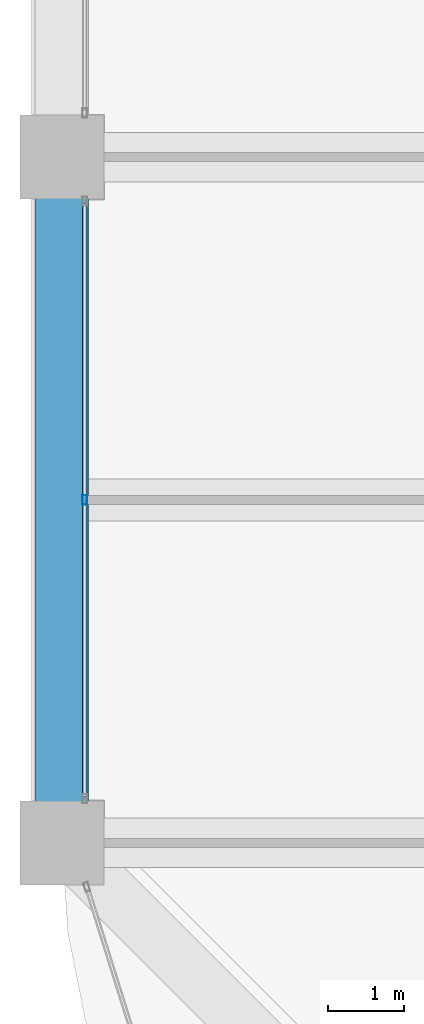
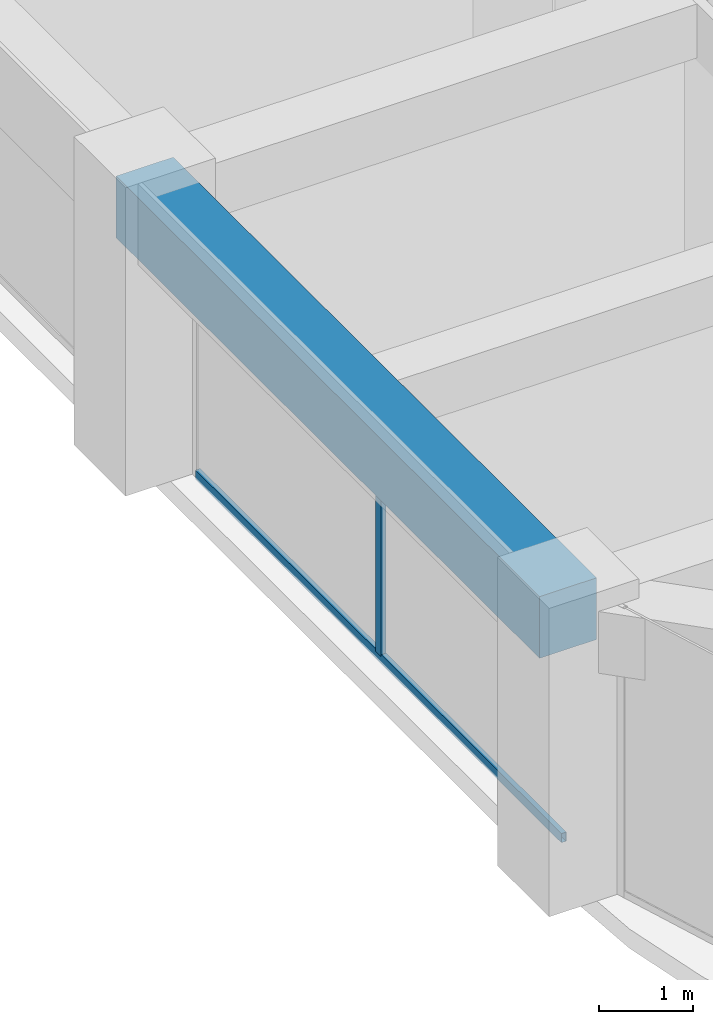
# One storey, part 7 of 45: 2 members, 1 beam, 1 element without a shape of its own.
"""IFC4 building model written with IfcOpenShell, lengths in metres."""

from ifc_helpers import new_model, si_unit, direction, frame, origin, origin_2d, place, context, subcontext, project, spatial, rectangle, hollow_rectangle, extrude, material, material_profile, profile_set, type_object, element, aggregate, save


model = new_model("IFC4")

# Units and contexts
model_context = context("Model", 3, precision=1e-05, world=origin(), true_north=direction((0.0, 1.0)))
body_context = subcontext(model_context, "Body", "Model", "MODEL_VIEW")
ifc_project = project(units=[si_unit("LENGTHUNIT", "METRE"), si_unit("AREAUNIT", "SQUARE_METRE"), si_unit("VOLUMEUNIT", "CUBIC_METRE"), si_unit("PLANEANGLEUNIT", "RADIAN"), si_unit("MASSUNIT", "GRAM", prefix="KILO")], contexts=[model_context])

# Site, building, storey
site_placement = place(None, origin())
site = spatial("IfcSite", under=ifc_project, at=site_placement, CompositionType="ELEMENT")
building_placement = place(site_placement, origin())
building = spatial("IfcBuilding", under=site, at=building_placement, Name="Zorevar Civic Tower", CompositionType="ELEMENT")
storey_placement = place(building_placement, frame((0.0, 0.0, 291.39990234375)))
storey = spatial("IfcBuildingStorey", under=building, at=storey_placement, Name="L71", CompositionType="ELEMENT", Elevation=291.39990234375)

# Curtain wall, members
ifc_material_1 = material(Name="Dark grey solar-control glass in black aluminium frame", Category="aluminium")
curtain_wall_type = type_object("IfcCurtainWallType", Name="Curtain wall CW5 top zone", PredefinedType="NOTDEFINED", material=ifc_material_1)
curtain_wall_placement = place(storey_placement, origin())
curtain_wall = element("IfcCurtainWall", 1, at=curtain_wall_placement, inside=storey, type_object=curtain_wall_type, Name="CW5 L71", PredefinedType="NOTDEFINED")
ifc_material_2 = material(Name="Aluminium, black anodised", Category="aluminium")
ifc_material_profile_1 = material_profile(ifc_material_2, hollow_rectangle(XDim=0.06005859375, YDim=0.1201171875, WallThickness=0.0029296875, at=origin_2d()), Name="AL 120x60x3")
ifc_profile_set_1 = profile_set([ifc_material_profile_1], Name="Aluminium, black anodised")
member_type_1 = type_object("IfcMemberType", Name="CW5 mullion AL 120x60x3", PredefinedType="MULLION", material=ifc_profile_set_1)
member_1_placement = place(storey_placement, frame((9.300048828125, 13.5, 0.06005859375), z_axis=(0.0, 0.0, 1.0), x_axis=(-1.0, 0.0, 0.0)))
member_1 = element("IfcMember", 2, at=member_1_placement, type_object=member_type_1, Name="CW5 mullion 2", PredefinedType="MULLION", context=body_context, shape_type="SweptSolid", body=[
    extrude(hollow_rectangle(XDim=0.06005859375, YDim=0.1201171875, WallThickness=0.0029296875, at=origin_2d()), origin(), (0.0, 0.0, 1.0), 2.89013671875),
])
ifc_material_3 = material(Name="Aluminium, black anodised", Category="aluminium")
ifc_material_profile_2 = material_profile(ifc_material_3, hollow_rectangle(XDim=0.06005859375, YDim=0.1201171875, WallThickness=0.0029296875, at=origin_2d()), Name="AL 120x60x3")
ifc_profile_set_2 = profile_set([ifc_material_profile_2], Name="Aluminium, black anodised")
member_type_2 = type_object("IfcMemberType", Name="CW5 transom AL 120x60x3", PredefinedType="USERDEFINED", material=ifc_profile_set_2)
member_2_placement = place(storey_placement, frame((9.300048828125, 9.610107421875, 0.030029296875), z_axis=(0.0, 1.0, 0.0), x_axis=(-1.0, 0.0, 0.0)))
member_2 = element("IfcMember", 3, at=member_2_placement, type_object=member_type_2, Name="CW5 sill transom", ObjectType="TRANSOM", PredefinedType="USERDEFINED", context=body_context, shape_type="SweptSolid", body=[
    extrude(hollow_rectangle(XDim=0.06005859375, YDim=0.1201171875, WallThickness=0.0029296875, at=origin_2d()), origin(), (0.0, 0.0, 1.0), 7.77978515625),
])
aggregate(curtain_wall, [member_1, member_2])

# Beam
ifc_material_4 = material(Name="Concrete C50/60", Category="concrete")
ifc_material_profile_3 = material_profile(ifc_material_4, rectangle(XDim=0.699951171875, YDim=0.800048828125, at=origin_2d()), Name="RC 700x800")
ifc_profile_set_3 = profile_set([ifc_material_profile_3], Name="Concrete C50/60")
beam_type = type_object("IfcBeamType", Name="Edge beam RC 700x800", PredefinedType="SPANDREL", material=ifc_profile_set_3)
beam_placement = place(storey_placement, frame((9.0, 9.0, 3.35009765625), z_axis=(0.0, 1.0, 0.0), x_axis=(-1.0, 0.0, 0.0)))
element("IfcBeam", 4, at=beam_placement, inside=storey, type_object=beam_type, Name="Edge beam L72", PredefinedType="SPANDREL", context=body_context, shape_type="SweptSolid", body=[
    extrude(rectangle(XDim=0.699951171875, YDim=0.800048828125, at=origin_2d()), origin(), (0.0, 0.0, 1.0), 9.0),
])

save(model, "model.ifc")
